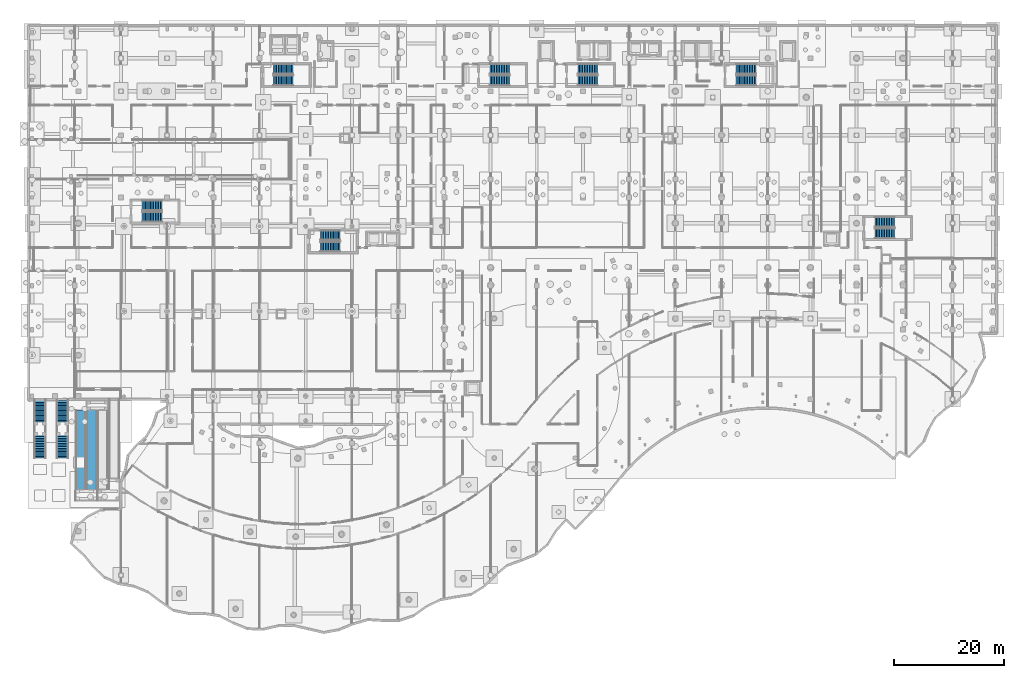
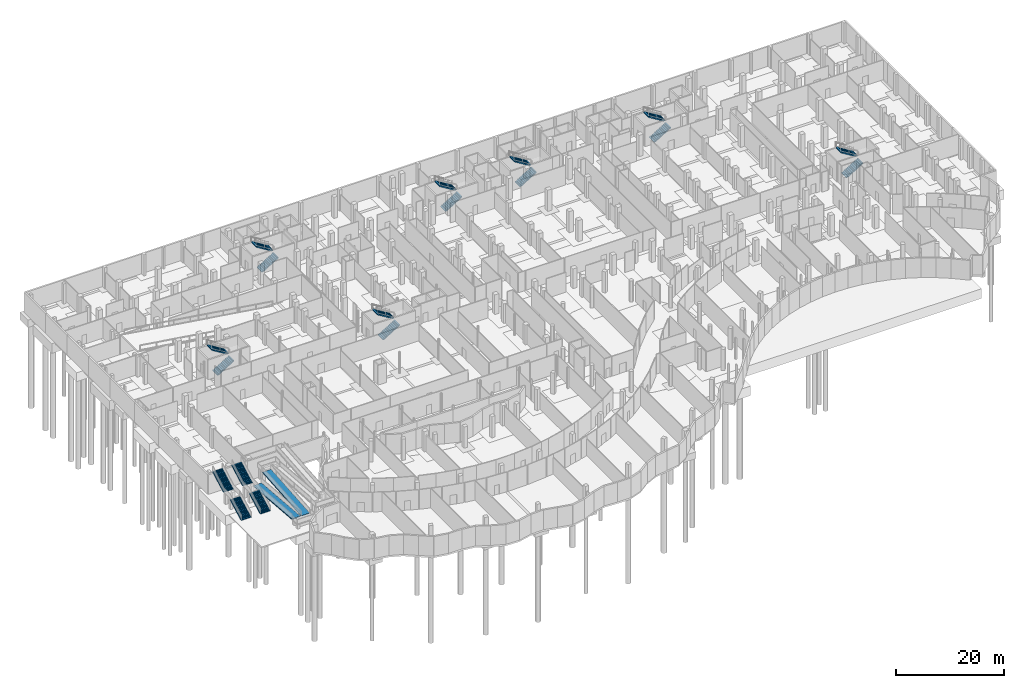
# One storey, part 39 of 45: 18 stair flights, 2 ramp flights, 11 elements without a shape of their own.
"""IFC4 building model written with IfcOpenShell, lengths in metres."""

import ifcopenshell
import ifcopenshell.guid

model = None  # the IFC model being written
_history = None  # IfcOwnerHistory: only IFC2X3 demands one
_inside = {}  # id of a spatial element -> (the spatial element, [elements in it])
_under = {}  # id of a project, library or spatial element -> (it, [spatial elements below it])
_declared = {}  # id of a project -> (the project, [libraries it declares])
_typed = {}  # id of a type object -> (the type object, [elements of that type])
_made_of = {}  # id of a material, layer set ... -> (it, [elements and type objects made of it])


def new_model(schema):
    """Start an empty IFC model of exactly this schema.

    Asked for "IFC4X3", IfcOpenShell would pick the latest addendum, in which some entities
    have other attributes; the version numbers below select the first issue.
    IFC2X3 requires an IfcOwnerHistory on every rooted entity: one is made here for all.
    """
    global model, _history
    if schema == "IFC4X3":
        model = ifcopenshell.file(schema_version=(4, 3, 0, 0))
    else:
        model = ifcopenshell.file(schema=schema)
    _inside.clear()
    _under.clear()
    _declared.clear()
    _typed.clear()
    _made_of.clear()
    _history = None
    if model.schema == "IFC2X3":
        org = make("IfcOrganization", Name="unknown")
        user = make(
            "IfcPersonAndOrganization",
            ThePerson=make("IfcPerson", FamilyName="unknown"),
            TheOrganization=org,
        )
        app = make(
            "IfcApplication",
            ApplicationDeveloper=org,
            Version="unknown",
            ApplicationFullName="unknown",
            ApplicationIdentifier="unknown",
        )
        _history = make(
            "IfcOwnerHistory",
            OwningUser=user,
            OwningApplication=app,
            ChangeAction="ADDED",
            CreationDate=0,
        )
    return model


def make(cls, **values):
    """One entity of the class cls with the attributes given. An attribute that is None is left unset."""
    return model.create_entity(
        cls, **{name: value for name, value in values.items() if value is not None}
    )


def rooted(cls, **values):
    """An entity with a GlobalId (a new one), such as an element, a storey or a relation."""
    return make(cls, GlobalId=ifcopenshell.guid.new(), OwnerHistory=_history, **values)


def si_unit(unit_type, name, prefix=None):
    """IfcSIUnit, for example si_unit("LENGTHUNIT", "METRE", prefix="MILLI")."""
    return make("IfcSIUnit", UnitType=unit_type, Prefix=prefix, Name=name)


def assignment(units):
    """IfcUnitAssignment: the units of a project."""
    return None if units is None else make("IfcUnitAssignment", Units=units)


def point(xyz):
    """IfcCartesianPoint."""
    return None if xyz is None else make("IfcCartesianPoint", Coordinates=xyz)


def direction(xyz):
    """IfcDirection."""
    return None if xyz is None else make("IfcDirection", DirectionRatios=xyz)


def frame(location, z_axis=None, x_axis=None):
    """IfcAxis2Placement3D, a coordinate frame: its origin and axes. An axis left out is left unset."""
    return make(
        "IfcAxis2Placement3D",
        Location=point(location),
        Axis=direction(z_axis),
        RefDirection=direction(x_axis),
    )


def origin():
    """The frame at (0, 0, 0) with its axes left unset."""
    return frame((0.0, 0.0, 0.0))


def place(relative_to, where):
    """IfcLocalPlacement: puts the frame where relative to a parent placement (None: the world)."""
    return make(
        "IfcLocalPlacement", PlacementRelTo=relative_to, RelativePlacement=where
    )


def context(
    kind, dimensions, precision=None, world=None, true_north=None, identifier=None
):
    """IfcGeometricRepresentationContext, for example the 3D "Model" context."""
    return make(
        "IfcGeometricRepresentationContext",
        ContextIdentifier=identifier,
        ContextType=kind,
        CoordinateSpaceDimension=dimensions,
        Precision=precision,
        WorldCoordinateSystem=world,
        TrueNorth=true_north,
    )


def subcontext(parent, identifier, kind, view, scale=None):
    """IfcGeometricRepresentationSubContext, for example "Body" below "Model"."""
    return make(
        "IfcGeometricRepresentationSubContext",
        ContextIdentifier=identifier,
        ContextType=kind,
        ParentContext=parent,
        TargetScale=scale,
        TargetView=view,
    )


def project(units=None, contexts=None):
    """IfcProject with its units and contexts."""
    return rooted(
        "IfcProject",
        Name="project",
        RepresentationContexts=contexts,
        UnitsInContext=assignment(units),
    )


def spatial(cls, under=None, at=None, **own):
    """A site, building, storey or space (cls), placed at a placement, below another one or the project."""
    s = rooted(cls, ObjectPlacement=at, **own)
    if under is not None:
        _under.setdefault(under.id(), (under, []))[1].append(s)
    return s


def polyline(points):
    """IfcPolyline through the points."""
    return make("IfcPolyline", Points=[point(p) for p in points])


def outline(outer, holes=None, kind="AREA"):
    """IfcArbitraryClosedProfileDef: a profile drawn as a closed curve; with holes, ...WithVoids."""
    if holes is None:
        return make("IfcArbitraryClosedProfileDef", ProfileType=kind, OuterCurve=outer)
    return make(
        "IfcArbitraryProfileDefWithVoids",
        ProfileType=kind,
        OuterCurve=outer,
        InnerCurves=holes,
    )


def extrude(swept, where, along, depth):
    """IfcExtrudedAreaSolid: the profile swept, set in the frame where, extruded along a direction by depth."""
    return make(
        "IfcExtrudedAreaSolid",
        SweptArea=swept,
        Position=where,
        ExtrudedDirection=direction(along),
        Depth=depth,
    )


def shape(context_of_items, identifier, shape_type, items):
    """IfcShapeRepresentation: the items that make up one representation, for example the "Body"."""
    return make(
        "IfcShapeRepresentation",
        ContextOfItems=context_of_items,
        RepresentationIdentifier=identifier,
        RepresentationType=shape_type,
        Items=items,
    )


def material(Name=None, Category=None):
    """IfcMaterial."""
    return make("IfcMaterial", Name=Name, Category=Category)


def layer(
    of_material, thickness, ventilated=None, Name=None, Category=None, Priority=None
):
    """IfcMaterialLayer: one layer of a wall or slab, of a material (None: an air gap)."""
    return make(
        "IfcMaterialLayer",
        Material=of_material,
        LayerThickness=thickness,
        IsVentilated=ventilated,
        Name=Name,
        Category=Category,
        Priority=Priority,
    )


def layer_set(layers, Name=None):
    """IfcMaterialLayerSet."""
    return make("IfcMaterialLayerSet", MaterialLayers=layers, LayerSetName=Name)


def made_of(thing, what):
    """Note that an element or type object is made of a material, layer set ...; save() writes the relation."""
    if what is not None:
        _made_of.setdefault(what.id(), (what, []))[1].append(thing)
    return thing


def type_object(cls, material=None, **own):
    """A type object (cls), such as IfcWallType, which elements share."""
    return made_of(rooted(cls, **own), material)


def element(
    cls,
    number,
    at=None,
    inside=None,
    cuts=None,
    type_object=None,
    material=None,
    context=None,
    identifier="Body",
    shape_type=None,
    held_by="IfcProductDefinitionShape",
    body=None,
    shapes=None,
    **own,
):
    """One element of the class cls, such as IfcWall. Its Tag is "e" and its number.

    at: its placement. inside: the storey or other place that contains it. cuts: it is an
    opening in that element (IfcRelVoidsElement). A single representation is given by context,
    identifier, shape_type and body (its items); several are given by shapes. held_by: the class
    of the entity that holds the representations. save() writes the other relations.
    """
    e = rooted(cls, Tag="e%d" % number, ObjectPlacement=at, **own)
    if body is not None:
        shapes = [shape(context, identifier, shape_type, body)]
    if shapes is not None:
        e.Representation = make(held_by, Representations=shapes)
    if inside is not None:
        _inside.setdefault(inside.id(), (inside, []))[1].append(e)
    if cuts is not None:
        rooted(
            "IfcRelVoidsElement", RelatingBuildingElement=cuts, RelatedOpeningElement=e
        )
    if type_object is not None:
        _typed.setdefault(type_object.id(), (type_object, []))[1].append(e)
    return made_of(e, material)


def aggregate(whole, parts):
    """IfcRelAggregates: a whole, such as a stair, and the parts it consists of."""
    return rooted("IfcRelAggregates", RelatingObject=whole, RelatedObjects=parts)


def save(model, path):
    """Write the relations noted so far, then the file.

    IfcRelAggregates (storeys below a building ...), IfcRelContainedInSpatialStructure (elements
    in a storey), IfcRelDefinesByType, IfcRelAssociatesMaterial and IfcRelDeclares: one each for
    every whole, place, type object, material and project.
    """
    for whole, parts in _under.values():
        aggregate(whole, parts)
    for where, things in _inside.values():
        rooted(
            "IfcRelContainedInSpatialStructure",
            RelatedElements=things,
            RelatingStructure=where,
        )
    for kind, things in _typed.values():
        rooted("IfcRelDefinesByType", RelatedObjects=things, RelatingType=kind)
    for what, things in _made_of.values():
        rooted("IfcRelAssociatesMaterial", RelatedObjects=things, RelatingMaterial=what)
    for by, libraries in _declared.values():
        rooted("IfcRelDeclares", RelatingContext=by, RelatedDefinitions=libraries)
    model.write(path)


model = new_model("IFC4")

# Units and contexts
model_context = context("Model", 3, precision=1e-05, world=origin(), true_north=direction((0.0, 1.0)))
body_context = subcontext(model_context, "Body", "Model", "MODEL_VIEW")
ifc_project = project(units=[si_unit("LENGTHUNIT", "METRE"), si_unit("AREAUNIT", "SQUARE_METRE"), si_unit("VOLUMEUNIT", "CUBIC_METRE"), si_unit("PLANEANGLEUNIT", "RADIAN"), si_unit("MASSUNIT", "GRAM", prefix="KILO")], contexts=[model_context])

# Site, building, storey
site_placement = place(None, origin())
site = spatial("IfcSite", under=ifc_project, at=site_placement, CompositionType="ELEMENT")
building_placement = place(site_placement, origin())
building = spatial("IfcBuilding", under=site, at=building_placement, Name="Selatvlak General Hospital", CompositionType="ELEMENT")
storey_placement = place(building_placement, frame((0.0, 0.0, -4.800048828125)))
storey = spatial("IfcBuildingStorey", under=building, at=storey_placement, Name="B1", CompositionType="ELEMENT", Elevation=-4.800048828125)

# Stair, stair flights
ifc_material_1 = material(Name="Precast concrete C40/50", Category="concrete")
stair_type_1 = type_object("IfcStairType", Name="STAIR-MON1", PredefinedType="STRAIGHT_RUN_STAIR", material=ifc_material_1)
stair_1_placement = place(storey_placement, origin())
stair_1 = element("IfcStair", 1, at=stair_1_placement, inside=storey, type_object=stair_type_1, Name="Sunken metro forecourt monumental stair ST-08", PredefinedType="STRAIGHT_RUN_STAIR")
ifc_layer_1 = layer(ifc_material_1, 0.219970703125, Name="Precast concrete C40/50", Category="concrete")
ifc_layer_set_1 = layer_set([ifc_layer_1], Name="Precast concrete C40/50")
stair_flight_type_1 = type_object("IfcStairFlightType", Name="FLIGHT-MON", PredefinedType="STRAIGHT", material=ifc_layer_set_1)
stair_flight_1_placement = place(storey_placement, frame((8.10009765625, 41.2900390625, 0.0), z_axis=(0.0, 0.0, 1.0), x_axis=(0.0, 1.0, 0.0)))
stair_flight_1 = element("IfcStairFlight", 2, at=stair_flight_1_placement, type_object=stair_flight_type_1, Name="ST-08 flight 1", NumberOfRisers=15, NumberOfTreads=14, PredefinedType="STRAIGHT", RiserHeight=0.16, TreadLength=0.3, context=body_context, shape_type="SweptSolid", body=[
    extrude(outline(polyline([(0.0, 0.0), (0.0, 0.159912109375), (0.300048828125, 0.159912109375), (0.300048828125, 0.320068359375), (0.60009765625, 0.320068359375), (0.60009765625, 0.47998046875), (0.89990234375, 0.47998046875), (0.89990234375, 0.639892578125), (1.199951171875, 0.639892578125), (1.199951171875, 0.800048828125), (1.5, 0.800048828125), (1.5, 0.9599609375), (1.800048828125, 0.9599609375), (1.800048828125, 1.1201171875), (2.10009765625, 1.1201171875), (2.10009765625, 1.280029296875), (2.39990234375, 1.280029296875), (2.39990234375, 1.43994140625), (2.699951171875, 1.43994140625), (2.699951171875, 1.60009765625), (3.0, 1.60009765625), (3.0, 1.760009765625), (3.300048828125, 1.760009765625), (3.300048828125, 1.919921875), (3.60009765625, 1.919921875), (3.60009765625, 2.080078125), (3.89990234375, 2.080078125), (3.89990234375, 2.239990234375), (4.199951171875, 2.239990234375), (4.199951171875, 2.39990234375), (4.199951171875, 1.99072265625), (0.467529296875, 0.0), (0.0, 0.0)])), frame((0.0, 1.050048828125, 0.0), z_axis=(0.0, -1.0, 0.0), x_axis=(1.0, 0.0, 0.0)), (0.0, 0.0, 1.0), 2.10009765625),
])
stair_flight_2_placement = place(storey_placement, frame((8.10009765625, 47.844970703125, 2.400146484375), z_axis=(0.0, 0.0, 1.0), x_axis=(0.0, 1.0, 0.0)))
stair_flight_2 = element("IfcStairFlight", 3, at=stair_flight_2_placement, type_object=stair_flight_type_1, Name="ST-08 flight 2", NumberOfRisers=15, NumberOfTreads=14, PredefinedType="STRAIGHT", RiserHeight=0.16, TreadLength=0.3, context=body_context, shape_type="SweptSolid", body=[
    extrude(outline(polyline([(0.0, 0.0), (0.0, 0.159912109375), (0.300048828125, 0.159912109375), (0.300048828125, 0.320068359375), (0.60009765625, 0.320068359375), (0.60009765625, 0.47998046875), (0.89990234375, 0.47998046875), (0.89990234375, 0.639892578125), (1.199951171875, 0.639892578125), (1.199951171875, 0.800048828125), (1.5, 0.800048828125), (1.5, 0.9599609375), (1.800048828125, 0.9599609375), (1.800048828125, 1.1201171875), (2.10009765625, 1.1201171875), (2.10009765625, 1.280029296875), (2.39990234375, 1.280029296875), (2.39990234375, 1.43994140625), (2.699951171875, 1.43994140625), (2.699951171875, 1.60009765625), (3.0, 1.60009765625), (3.0, 1.760009765625), (3.300048828125, 1.760009765625), (3.300048828125, 1.919921875), (3.60009765625, 1.919921875), (3.60009765625, 2.080078125), (3.89990234375, 2.080078125), (3.89990234375, 2.239990234375), (4.199951171875, 2.239990234375), (4.199951171875, 2.39990234375), (4.199951171875, 1.99072265625), (0.467529296875, 0.0), (0.0, 0.0)])), frame((0.0, 1.050048828125, 0.0), z_axis=(0.0, -1.0, 0.0), x_axis=(1.0, 0.0, 0.0)), (0.0, 0.0, 1.0), 2.10009765625),
])
aggregate(stair_1, [stair_flight_1, stair_flight_2])

stair_type_2 = type_object("IfcStairType", Name="STAIR-MON2", PredefinedType="STRAIGHT_RUN_STAIR", material=ifc_material_1)
stair_2_placement = place(storey_placement, origin())
stair_2 = element("IfcStair", 4, at=stair_2_placement, inside=storey, type_object=stair_type_2, Name="Sunken metro forecourt monumental stair ST-09", PredefinedType="STRAIGHT_RUN_STAIR")
stair_flight_3_placement = place(storey_placement, frame((12.199951171875, 41.2900390625, 0.0), z_axis=(0.0, 0.0, 1.0), x_axis=(0.0, 1.0, 0.0)))
stair_flight_3 = element("IfcStairFlight", 5, at=stair_flight_3_placement, type_object=stair_flight_type_1, Name="ST-09 flight 1", NumberOfRisers=15, NumberOfTreads=14, PredefinedType="STRAIGHT", RiserHeight=0.16, TreadLength=0.3, context=body_context, shape_type="SweptSolid", body=[
    extrude(outline(polyline([(0.0, 0.0), (0.0, 0.159912109375), (0.300048828125, 0.159912109375), (0.300048828125, 0.320068359375), (0.60009765625, 0.320068359375), (0.60009765625, 0.47998046875), (0.89990234375, 0.47998046875), (0.89990234375, 0.639892578125), (1.199951171875, 0.639892578125), (1.199951171875, 0.800048828125), (1.5, 0.800048828125), (1.5, 0.9599609375), (1.800048828125, 0.9599609375), (1.800048828125, 1.1201171875), (2.10009765625, 1.1201171875), (2.10009765625, 1.280029296875), (2.39990234375, 1.280029296875), (2.39990234375, 1.43994140625), (2.699951171875, 1.43994140625), (2.699951171875, 1.60009765625), (3.0, 1.60009765625), (3.0, 1.760009765625), (3.300048828125, 1.760009765625), (3.300048828125, 1.919921875), (3.60009765625, 1.919921875), (3.60009765625, 2.080078125), (3.89990234375, 2.080078125), (3.89990234375, 2.239990234375), (4.199951171875, 2.239990234375), (4.199951171875, 2.39990234375), (4.199951171875, 1.99072265625), (0.467529296875, 0.0), (0.0, 0.0)])), frame((0.0, 1.050048828125, 0.0), z_axis=(0.0, -1.0, 0.0), x_axis=(1.0, 0.0, 0.0)), (0.0, 0.0, 1.0), 2.10009765625),
])
stair_flight_4_placement = place(storey_placement, frame((12.199951171875, 47.844970703125, 2.400146484375), z_axis=(0.0, 0.0, 1.0), x_axis=(0.0, 1.0, 0.0)))
stair_flight_4 = element("IfcStairFlight", 6, at=stair_flight_4_placement, type_object=stair_flight_type_1, Name="ST-09 flight 2", NumberOfRisers=15, NumberOfTreads=14, PredefinedType="STRAIGHT", RiserHeight=0.16, TreadLength=0.3, context=body_context, shape_type="SweptSolid", body=[
    extrude(outline(polyline([(0.0, 0.0), (0.0, 0.159912109375), (0.300048828125, 0.159912109375), (0.300048828125, 0.320068359375), (0.60009765625, 0.320068359375), (0.60009765625, 0.47998046875), (0.89990234375, 0.47998046875), (0.89990234375, 0.639892578125), (1.199951171875, 0.639892578125), (1.199951171875, 0.800048828125), (1.5, 0.800048828125), (1.5, 0.9599609375), (1.800048828125, 0.9599609375), (1.800048828125, 1.1201171875), (2.10009765625, 1.1201171875), (2.10009765625, 1.280029296875), (2.39990234375, 1.280029296875), (2.39990234375, 1.43994140625), (2.699951171875, 1.43994140625), (2.699951171875, 1.60009765625), (3.0, 1.60009765625), (3.0, 1.760009765625), (3.300048828125, 1.760009765625), (3.300048828125, 1.919921875), (3.60009765625, 1.919921875), (3.60009765625, 2.080078125), (3.89990234375, 2.080078125), (3.89990234375, 2.239990234375), (4.199951171875, 2.239990234375), (4.199951171875, 2.39990234375), (4.199951171875, 1.99072265625), (0.467529296875, 0.0), (0.0, 0.0)])), frame((0.0, 1.050048828125, 0.0), z_axis=(0.0, -1.0, 0.0), x_axis=(1.0, 0.0, 0.0)), (0.0, 0.0, 1.0), 2.10009765625),
])
aggregate(stair_2, [stair_flight_3, stair_flight_4])

stair_type_3 = type_object("IfcStairType", Name="STAIR-ST-01", PredefinedType="HALF_TURN_STAIR", material=ifc_material_1)
stair_3_placement = place(storey_placement, origin())
stair_3 = element("IfcStair", 7, at=stair_3_placement, inside=storey, type_object=stair_type_3, Name="B1 Protected exit stair ST-01", PredefinedType="HALF_TURN_STAIR")
ifc_layer_2 = layer(ifc_material_1, 0.179931640625, Name="Precast concrete C40/50", Category="concrete")
ifc_layer_set_2 = layer_set([ifc_layer_2], Name="Precast concrete C40/50")
stair_flight_type_2 = type_object("IfcStairFlightType", Name="FLIGHT-ST-01", PredefinedType="STRAIGHT", material=ifc_layer_set_2)
stair_flight_5_placement = place(storey_placement, frame((50.510009765625, 109.929931640625, 0.0), z_axis=(0.0, 0.0, 1.0), x_axis=(1.0, 0.0, 0.0)))
stair_flight_5 = element("IfcStairFlight", 8, at=stair_flight_5_placement, type_object=stair_flight_type_2, Name="ST-01 flight 1", NumberOfRisers=13, NumberOfTreads=12, PredefinedType="STRAIGHT", RiserHeight=0.184615385, TreadLength=0.3, context=body_context, shape_type="SweptSolid", body=[
    extrude(outline(polyline([(0.0, 0.0), (0.0, 0.1845703125), (0.300048828125, 0.1845703125), (0.300048828125, 0.369140625), (0.60009765625, 0.369140625), (0.60009765625, 0.553955078125), (0.89990234375, 0.553955078125), (0.89990234375, 0.738525390625), (1.199951171875, 0.738525390625), (1.199951171875, 0.923095703125), (1.5, 0.923095703125), (1.5, 1.107666015625), (1.800048828125, 1.107666015625), (1.800048828125, 1.292236328125), (2.10009765625, 1.292236328125), (2.10009765625, 1.476806640625), (2.39990234375, 1.476806640625), (2.39990234375, 1.66162109375), (2.699951171875, 1.66162109375), (2.699951171875, 1.84619140625), (3.0, 1.84619140625), (3.0, 2.03076171875), (3.300048828125, 2.03076171875), (3.300048828125, 2.21533203125), (3.60009765625, 2.21533203125), (3.60009765625, 2.39990234375), (3.60009765625, 2.004150390625), (0.34326171875, 0.0), (0.0, 0.0)])), frame((0.0, 0.93017578125, 0.0), z_axis=(0.0, -1.0, 0.0), x_axis=(1.0, 0.0, 0.0)), (0.0, 0.0, 1.0), 1.860107421875),
])
stair_flight_6_placement = place(storey_placement, frame((54.110107421875, 112.010009765625, 2.400146484375), z_axis=(0.0, 0.0, 1.0), x_axis=(-1.0, 0.0, 0.0)))
stair_flight_6 = element("IfcStairFlight", 9, at=stair_flight_6_placement, type_object=stair_flight_type_2, Name="ST-01 flight 2", NumberOfRisers=13, NumberOfTreads=12, PredefinedType="STRAIGHT", RiserHeight=0.184615385, TreadLength=0.3, context=body_context, shape_type="SweptSolid", body=[
    extrude(outline(polyline([(0.0, 0.0), (0.0, 0.1845703125), (0.300048828125, 0.1845703125), (0.300048828125, 0.369140625), (0.60009765625, 0.369140625), (0.60009765625, 0.553955078125), (0.89990234375, 0.553955078125), (0.89990234375, 0.738525390625), (1.199951171875, 0.738525390625), (1.199951171875, 0.923095703125), (1.5, 0.923095703125), (1.5, 1.107666015625), (1.800048828125, 1.107666015625), (1.800048828125, 1.292236328125), (2.10009765625, 1.292236328125), (2.10009765625, 1.476806640625), (2.39990234375, 1.476806640625), (2.39990234375, 1.66162109375), (2.699951171875, 1.66162109375), (2.699951171875, 1.84619140625), (3.0, 1.84619140625), (3.0, 2.03076171875), (3.300048828125, 2.03076171875), (3.300048828125, 2.21533203125), (3.60009765625, 2.21533203125), (3.60009765625, 2.39990234375), (3.60009765625, 2.004150390625), (0.34326171875, 0.0), (0.0, 0.0)])), frame((0.0, 0.93017578125, 0.0), z_axis=(0.0, -1.0, 0.0), x_axis=(1.0, 0.0, 0.0)), (0.0, 0.0, 1.0), 1.860107421875),
])
aggregate(stair_3, [stair_flight_5, stair_flight_6])

stair_type_4 = type_object("IfcStairType", Name="STAIR-ST-02", PredefinedType="HALF_TURN_STAIR", material=ifc_material_1)
stair_4_placement = place(storey_placement, origin())
stair_4 = element("IfcStair", 10, at=stair_4_placement, inside=storey, type_object=stair_type_4, Name="B1 Protected exit stair ST-02", PredefinedType="HALF_TURN_STAIR")
ifc_layer_3 = layer(ifc_material_1, 0.179931640625, Name="Precast concrete C40/50", Category="concrete")
ifc_layer_set_3 = layer_set([ifc_layer_3], Name="Precast concrete C40/50")
stair_flight_type_3 = type_object("IfcStairFlightType", Name="FLIGHT-ST-02", PredefinedType="STRAIGHT", material=ifc_layer_set_3)
stair_flight_7_placement = place(storey_placement, frame((89.860107421875, 109.929931640625, 0.0), z_axis=(0.0, 0.0, 1.0), x_axis=(1.0, 0.0, 0.0)))
stair_flight_7 = element("IfcStairFlight", 11, at=stair_flight_7_placement, type_object=stair_flight_type_3, Name="ST-02 flight 1", NumberOfRisers=13, NumberOfTreads=12, PredefinedType="STRAIGHT", RiserHeight=0.184615385, TreadLength=0.3, context=body_context, shape_type="SweptSolid", body=[
    extrude(outline(polyline([(0.0, 0.0), (0.0, 0.1845703125), (0.300048828125, 0.1845703125), (0.300048828125, 0.369140625), (0.60009765625, 0.369140625), (0.60009765625, 0.553955078125), (0.89990234375, 0.553955078125), (0.89990234375, 0.738525390625), (1.199951171875, 0.738525390625), (1.199951171875, 0.923095703125), (1.5, 0.923095703125), (1.5, 1.107666015625), (1.800048828125, 1.107666015625), (1.800048828125, 1.292236328125), (2.10009765625, 1.292236328125), (2.10009765625, 1.476806640625), (2.39990234375, 1.476806640625), (2.39990234375, 1.66162109375), (2.699951171875, 1.66162109375), (2.699951171875, 1.84619140625), (3.0, 1.84619140625), (3.0, 2.03076171875), (3.300048828125, 2.03076171875), (3.300048828125, 2.21533203125), (3.60009765625, 2.21533203125), (3.60009765625, 2.39990234375), (3.60009765625, 2.004150390625), (0.34326171875, 0.0), (0.0, 0.0)])), frame((0.0, 0.93017578125, 0.0), z_axis=(0.0, -1.0, 0.0), x_axis=(1.0, 0.0, 0.0)), (0.0, 0.0, 1.0), 1.860107421875),
])
stair_flight_8_placement = place(storey_placement, frame((93.4599609375, 112.010009765625, 2.400146484375), z_axis=(0.0, 0.0, 1.0), x_axis=(-1.0, 0.0, 0.0)))
stair_flight_8 = element("IfcStairFlight", 12, at=stair_flight_8_placement, type_object=stair_flight_type_3, Name="ST-02 flight 2", NumberOfRisers=13, NumberOfTreads=12, PredefinedType="STRAIGHT", RiserHeight=0.184615385, TreadLength=0.3, context=body_context, shape_type="SweptSolid", body=[
    extrude(outline(polyline([(0.0, 0.0), (0.0, 0.1845703125), (0.300048828125, 0.1845703125), (0.300048828125, 0.369140625), (0.60009765625, 0.369140625), (0.60009765625, 0.553955078125), (0.89990234375, 0.553955078125), (0.89990234375, 0.738525390625), (1.199951171875, 0.738525390625), (1.199951171875, 0.923095703125), (1.5, 0.923095703125), (1.5, 1.107666015625), (1.800048828125, 1.107666015625), (1.800048828125, 1.292236328125), (2.10009765625, 1.292236328125), (2.10009765625, 1.476806640625), (2.39990234375, 1.476806640625), (2.39990234375, 1.66162109375), (2.699951171875, 1.66162109375), (2.699951171875, 1.84619140625), (3.0, 1.84619140625), (3.0, 2.03076171875), (3.300048828125, 2.03076171875), (3.300048828125, 2.21533203125), (3.60009765625, 2.21533203125), (3.60009765625, 2.39990234375), (3.60009765625, 2.004150390625), (0.34326171875, 0.0), (0.0, 0.0)])), frame((0.0, 0.93017578125, 0.0), z_axis=(0.0, -1.0, 0.0), x_axis=(1.0, 0.0, 0.0)), (0.0, 0.0, 1.0), 1.860107421875),
])
aggregate(stair_4, [stair_flight_7, stair_flight_8])

stair_type_5 = type_object("IfcStairType", Name="STAIR-ST-03", PredefinedType="HALF_TURN_STAIR", material=ifc_material_1)
stair_5_placement = place(storey_placement, origin())
stair_5 = element("IfcStair", 13, at=stair_5_placement, inside=storey, type_object=stair_type_5, Name="B1 Protected exit stair ST-03", PredefinedType="HALF_TURN_STAIR")
ifc_layer_4 = layer(ifc_material_1, 0.179931640625, Name="Precast concrete C40/50", Category="concrete")
ifc_layer_set_4 = layer_set([ifc_layer_4], Name="Precast concrete C40/50")
stair_flight_type_4 = type_object("IfcStairFlightType", Name="FLIGHT-ST-03", PredefinedType="STRAIGHT", material=ifc_layer_set_4)
stair_flight_9_placement = place(storey_placement, frame((105.860107421875, 109.929931640625, 0.0), z_axis=(0.0, 0.0, 1.0), x_axis=(1.0, 0.0, 0.0)))
stair_flight_9 = element("IfcStairFlight", 14, at=stair_flight_9_placement, type_object=stair_flight_type_4, Name="ST-03 flight 1", NumberOfRisers=13, NumberOfTreads=12, PredefinedType="STRAIGHT", RiserHeight=0.184615385, TreadLength=0.3, context=body_context, shape_type="SweptSolid", body=[
    extrude(outline(polyline([(0.0, 0.0), (0.0, 0.1845703125), (0.300048828125, 0.1845703125), (0.300048828125, 0.369140625), (0.60009765625, 0.369140625), (0.60009765625, 0.553955078125), (0.89990234375, 0.553955078125), (0.89990234375, 0.738525390625), (1.199951171875, 0.738525390625), (1.199951171875, 0.923095703125), (1.5, 0.923095703125), (1.5, 1.107666015625), (1.800048828125, 1.107666015625), (1.800048828125, 1.292236328125), (2.10009765625, 1.292236328125), (2.10009765625, 1.476806640625), (2.39990234375, 1.476806640625), (2.39990234375, 1.66162109375), (2.699951171875, 1.66162109375), (2.699951171875, 1.84619140625), (3.0, 1.84619140625), (3.0, 2.03076171875), (3.300048828125, 2.03076171875), (3.300048828125, 2.21533203125), (3.60009765625, 2.21533203125), (3.60009765625, 2.39990234375), (3.60009765625, 2.004150390625), (0.34326171875, 0.0), (0.0, 0.0)])), frame((0.0, 0.93017578125, 0.0), z_axis=(0.0, -1.0, 0.0), x_axis=(1.0, 0.0, 0.0)), (0.0, 0.0, 1.0), 1.860107421875),
])
stair_flight_10_placement = place(storey_placement, frame((109.4599609375, 112.010009765625, 2.400146484375), z_axis=(0.0, 0.0, 1.0), x_axis=(-1.0, 0.0, 0.0)))
stair_flight_10 = element("IfcStairFlight", 15, at=stair_flight_10_placement, type_object=stair_flight_type_4, Name="ST-03 flight 2", NumberOfRisers=13, NumberOfTreads=12, PredefinedType="STRAIGHT", RiserHeight=0.184615385, TreadLength=0.3, context=body_context, shape_type="SweptSolid", body=[
    extrude(outline(polyline([(0.0, 0.0), (0.0, 0.1845703125), (0.300048828125, 0.1845703125), (0.300048828125, 0.369140625), (0.60009765625, 0.369140625), (0.60009765625, 0.553955078125), (0.89990234375, 0.553955078125), (0.89990234375, 0.738525390625), (1.199951171875, 0.738525390625), (1.199951171875, 0.923095703125), (1.5, 0.923095703125), (1.5, 1.107666015625), (1.800048828125, 1.107666015625), (1.800048828125, 1.292236328125), (2.10009765625, 1.292236328125), (2.10009765625, 1.476806640625), (2.39990234375, 1.476806640625), (2.39990234375, 1.66162109375), (2.699951171875, 1.66162109375), (2.699951171875, 1.84619140625), (3.0, 1.84619140625), (3.0, 2.03076171875), (3.300048828125, 2.03076171875), (3.300048828125, 2.21533203125), (3.60009765625, 2.21533203125), (3.60009765625, 2.39990234375), (3.60009765625, 2.004150390625), (0.34326171875, 0.0), (0.0, 0.0)])), frame((0.0, 0.93017578125, 0.0), z_axis=(0.0, -1.0, 0.0), x_axis=(1.0, 0.0, 0.0)), (0.0, 0.0, 1.0), 1.860107421875),
])
aggregate(stair_5, [stair_flight_9, stair_flight_10])

stair_type_6 = type_object("IfcStairType", Name="STAIR-ST-04", PredefinedType="HALF_TURN_STAIR", material=ifc_material_1)
stair_6_placement = place(storey_placement, origin())
stair_6 = element("IfcStair", 16, at=stair_6_placement, inside=storey, type_object=stair_type_6, Name="B1 Protected exit stair ST-04", PredefinedType="HALF_TURN_STAIR")
ifc_layer_5 = layer(ifc_material_1, 0.179931640625, Name="Precast concrete C40/50", Category="concrete")
ifc_layer_set_5 = layer_set([ifc_layer_5], Name="Precast concrete C40/50")
stair_flight_type_5 = type_object("IfcStairFlightType", Name="FLIGHT-ST-04", PredefinedType="STRAIGHT", material=ifc_layer_set_5)
stair_flight_11_placement = place(storey_placement, frame((134.659912109375, 109.929931640625, 0.0), z_axis=(0.0, 0.0, 1.0), x_axis=(1.0, 0.0, 0.0)))
stair_flight_11 = element("IfcStairFlight", 17, at=stair_flight_11_placement, type_object=stair_flight_type_5, Name="ST-04 flight 1", NumberOfRisers=13, NumberOfTreads=12, PredefinedType="STRAIGHT", RiserHeight=0.184615385, TreadLength=0.3, context=body_context, shape_type="SweptSolid", body=[
    extrude(outline(polyline([(0.0, 0.0), (0.0, 0.1845703125), (0.300048828125, 0.1845703125), (0.300048828125, 0.369140625), (0.60009765625, 0.369140625), (0.60009765625, 0.553955078125), (0.89990234375, 0.553955078125), (0.89990234375, 0.738525390625), (1.199951171875, 0.738525390625), (1.199951171875, 0.923095703125), (1.5, 0.923095703125), (1.5, 1.107666015625), (1.800048828125, 1.107666015625), (1.800048828125, 1.292236328125), (2.10009765625, 1.292236328125), (2.10009765625, 1.476806640625), (2.39990234375, 1.476806640625), (2.39990234375, 1.66162109375), (2.699951171875, 1.66162109375), (2.699951171875, 1.84619140625), (3.0, 1.84619140625), (3.0, 2.03076171875), (3.300048828125, 2.03076171875), (3.300048828125, 2.21533203125), (3.60009765625, 2.21533203125), (3.60009765625, 2.39990234375), (3.60009765625, 2.004150390625), (0.34326171875, 0.0), (0.0, 0.0)])), frame((0.0, 0.93017578125, 0.0), z_axis=(0.0, -1.0, 0.0), x_axis=(1.0, 0.0, 0.0)), (0.0, 0.0, 1.0), 1.860107421875),
])
stair_flight_12_placement = place(storey_placement, frame((138.260009765625, 112.010009765625, 2.400146484375), z_axis=(0.0, 0.0, 1.0), x_axis=(-1.0, 0.0, 0.0)))
stair_flight_12 = element("IfcStairFlight", 18, at=stair_flight_12_placement, type_object=stair_flight_type_5, Name="ST-04 flight 2", NumberOfRisers=13, NumberOfTreads=12, PredefinedType="STRAIGHT", RiserHeight=0.184615385, TreadLength=0.3, context=body_context, shape_type="SweptSolid", body=[
    extrude(outline(polyline([(0.0, 0.0), (0.0, 0.1845703125), (0.300048828125, 0.1845703125), (0.300048828125, 0.369140625), (0.60009765625, 0.369140625), (0.60009765625, 0.553955078125), (0.89990234375, 0.553955078125), (0.89990234375, 0.738525390625), (1.199951171875, 0.738525390625), (1.199951171875, 0.923095703125), (1.5, 0.923095703125), (1.5, 1.107666015625), (1.800048828125, 1.107666015625), (1.800048828125, 1.292236328125), (2.10009765625, 1.292236328125), (2.10009765625, 1.476806640625), (2.39990234375, 1.476806640625), (2.39990234375, 1.66162109375), (2.699951171875, 1.66162109375), (2.699951171875, 1.84619140625), (3.0, 1.84619140625), (3.0, 2.03076171875), (3.300048828125, 2.03076171875), (3.300048828125, 2.21533203125), (3.60009765625, 2.21533203125), (3.60009765625, 2.39990234375), (3.60009765625, 2.004150390625), (0.34326171875, 0.0), (0.0, 0.0)])), frame((0.0, 0.93017578125, 0.0), z_axis=(0.0, -1.0, 0.0), x_axis=(1.0, 0.0, 0.0)), (0.0, 0.0, 1.0), 1.860107421875),
])
aggregate(stair_6, [stair_flight_11, stair_flight_12])

stair_type_7 = type_object("IfcStairType", Name="STAIR-ST-05", PredefinedType="HALF_TURN_STAIR", material=ifc_material_1)
stair_7_placement = place(storey_placement, origin())
stair_7 = element("IfcStair", 19, at=stair_7_placement, inside=storey, type_object=stair_type_7, Name="B1 Protected exit stair ST-05", PredefinedType="HALF_TURN_STAIR")
ifc_layer_6 = layer(ifc_material_1, 0.179931640625, Name="Precast concrete C40/50", Category="concrete")
ifc_layer_set_6 = layer_set([ifc_layer_6], Name="Precast concrete C40/50")
stair_flight_type_6 = type_object("IfcStairFlightType", Name="FLIGHT-ST-05", PredefinedType="STRAIGHT", material=ifc_layer_set_6)
stair_flight_13_placement = place(storey_placement, frame((59.06005859375, 79.72998046875, 0.0), z_axis=(0.0, 0.0, 1.0), x_axis=(1.0, 0.0, 0.0)))
stair_flight_13 = element("IfcStairFlight", 20, at=stair_flight_13_placement, type_object=stair_flight_type_6, Name="ST-05 flight 1", NumberOfRisers=13, NumberOfTreads=12, PredefinedType="STRAIGHT", RiserHeight=0.184615385, TreadLength=0.3, context=body_context, shape_type="SweptSolid", body=[
    extrude(outline(polyline([(0.0, 0.0), (0.0, 0.1845703125), (0.300048828125, 0.1845703125), (0.300048828125, 0.369140625), (0.60009765625, 0.369140625), (0.60009765625, 0.553955078125), (0.89990234375, 0.553955078125), (0.89990234375, 0.738525390625), (1.199951171875, 0.738525390625), (1.199951171875, 0.923095703125), (1.5, 0.923095703125), (1.5, 1.107666015625), (1.800048828125, 1.107666015625), (1.800048828125, 1.292236328125), (2.10009765625, 1.292236328125), (2.10009765625, 1.476806640625), (2.39990234375, 1.476806640625), (2.39990234375, 1.66162109375), (2.699951171875, 1.66162109375), (2.699951171875, 1.84619140625), (3.0, 1.84619140625), (3.0, 2.03076171875), (3.300048828125, 2.03076171875), (3.300048828125, 2.21533203125), (3.60009765625, 2.21533203125), (3.60009765625, 2.39990234375), (3.60009765625, 2.004150390625), (0.34326171875, 0.0), (0.0, 0.0)])), frame((0.0, 0.93017578125, 0.0), z_axis=(0.0, -1.0, 0.0), x_axis=(1.0, 0.0, 0.0)), (0.0, 0.0, 1.0), 1.860107421875),
])
stair_flight_14_placement = place(storey_placement, frame((62.659912109375, 81.81005859375, 2.400146484375), z_axis=(0.0, 0.0, 1.0), x_axis=(-1.0, 0.0, 0.0)))
stair_flight_14 = element("IfcStairFlight", 21, at=stair_flight_14_placement, type_object=stair_flight_type_6, Name="ST-05 flight 2", NumberOfRisers=13, NumberOfTreads=12, PredefinedType="STRAIGHT", RiserHeight=0.184615385, TreadLength=0.3, context=body_context, shape_type="SweptSolid", body=[
    extrude(outline(polyline([(0.0, 0.0), (0.0, 0.1845703125), (0.300048828125, 0.1845703125), (0.300048828125, 0.369140625), (0.60009765625, 0.369140625), (0.60009765625, 0.553955078125), (0.89990234375, 0.553955078125), (0.89990234375, 0.738525390625), (1.199951171875, 0.738525390625), (1.199951171875, 0.923095703125), (1.5, 0.923095703125), (1.5, 1.107666015625), (1.800048828125, 1.107666015625), (1.800048828125, 1.292236328125), (2.10009765625, 1.292236328125), (2.10009765625, 1.476806640625), (2.39990234375, 1.476806640625), (2.39990234375, 1.66162109375), (2.699951171875, 1.66162109375), (2.699951171875, 1.84619140625), (3.0, 1.84619140625), (3.0, 2.03076171875), (3.300048828125, 2.03076171875), (3.300048828125, 2.21533203125), (3.60009765625, 2.21533203125), (3.60009765625, 2.39990234375), (3.60009765625, 2.004150390625), (0.34326171875, 0.0), (0.0, 0.0)])), frame((0.0, 0.93017578125, 0.0), z_axis=(0.0, -1.0, 0.0), x_axis=(1.0, 0.0, 0.0)), (0.0, 0.0, 1.0), 1.860107421875),
])
aggregate(stair_7, [stair_flight_13, stair_flight_14])

stair_type_8 = type_object("IfcStairType", Name="STAIR-ST-06", PredefinedType="HALF_TURN_STAIR", material=ifc_material_1)
stair_8_placement = place(storey_placement, origin())
stair_8 = element("IfcStair", 22, at=stair_8_placement, inside=storey, type_object=stair_type_8, Name="B1 Protected exit stair ST-06", PredefinedType="HALF_TURN_STAIR")
ifc_layer_7 = layer(ifc_material_1, 0.179931640625, Name="Precast concrete C40/50", Category="concrete")
ifc_layer_set_7 = layer_set([ifc_layer_7], Name="Precast concrete C40/50")
stair_flight_type_7 = type_object("IfcStairFlightType", Name="FLIGHT-ST-06", PredefinedType="STRAIGHT", material=ifc_layer_set_7)
stair_flight_15_placement = place(storey_placement, frame((159.860107421875, 82.1298828125, 0.0), z_axis=(0.0, 0.0, 1.0), x_axis=(1.0, 0.0, 0.0)))
stair_flight_15 = element("IfcStairFlight", 23, at=stair_flight_15_placement, type_object=stair_flight_type_7, Name="ST-06 flight 1", NumberOfRisers=13, NumberOfTreads=12, PredefinedType="STRAIGHT", RiserHeight=0.184615385, TreadLength=0.3, context=body_context, shape_type="SweptSolid", body=[
    extrude(outline(polyline([(0.0, 0.0), (0.0, 0.1845703125), (0.300048828125, 0.1845703125), (0.300048828125, 0.369140625), (0.60009765625, 0.369140625), (0.60009765625, 0.553955078125), (0.89990234375, 0.553955078125), (0.89990234375, 0.738525390625), (1.199951171875, 0.738525390625), (1.199951171875, 0.923095703125), (1.5, 0.923095703125), (1.5, 1.107666015625), (1.800048828125, 1.107666015625), (1.800048828125, 1.292236328125), (2.10009765625, 1.292236328125), (2.10009765625, 1.476806640625), (2.39990234375, 1.476806640625), (2.39990234375, 1.66162109375), (2.699951171875, 1.66162109375), (2.699951171875, 1.84619140625), (3.0, 1.84619140625), (3.0, 2.03076171875), (3.300048828125, 2.03076171875), (3.300048828125, 2.21533203125), (3.60009765625, 2.21533203125), (3.60009765625, 2.39990234375), (3.60009765625, 2.004150390625), (0.34326171875, 0.0), (0.0, 0.0)])), frame((0.0, 0.93017578125, 0.0), z_axis=(0.0, -1.0, 0.0), x_axis=(1.0, 0.0, 0.0)), (0.0, 0.0, 1.0), 1.860107421875),
])
stair_flight_16_placement = place(storey_placement, frame((163.4599609375, 84.2099609375, 2.400146484375), z_axis=(0.0, 0.0, 1.0), x_axis=(-1.0, 0.0, 0.0)))
stair_flight_16 = element("IfcStairFlight", 24, at=stair_flight_16_placement, type_object=stair_flight_type_7, Name="ST-06 flight 2", NumberOfRisers=13, NumberOfTreads=12, PredefinedType="STRAIGHT", RiserHeight=0.184615385, TreadLength=0.3, context=body_context, shape_type="SweptSolid", body=[
    extrude(outline(polyline([(0.0, 0.0), (0.0, 0.1845703125), (0.300048828125, 0.1845703125), (0.300048828125, 0.369140625), (0.60009765625, 0.369140625), (0.60009765625, 0.553955078125), (0.89990234375, 0.553955078125), (0.89990234375, 0.738525390625), (1.199951171875, 0.738525390625), (1.199951171875, 0.923095703125), (1.5, 0.923095703125), (1.5, 1.107666015625), (1.800048828125, 1.107666015625), (1.800048828125, 1.292236328125), (2.10009765625, 1.292236328125), (2.10009765625, 1.476806640625), (2.39990234375, 1.476806640625), (2.39990234375, 1.66162109375), (2.699951171875, 1.66162109375), (2.699951171875, 1.84619140625), (3.0, 1.84619140625), (3.0, 2.03076171875), (3.300048828125, 2.03076171875), (3.300048828125, 2.21533203125), (3.60009765625, 2.21533203125), (3.60009765625, 2.39990234375), (3.60009765625, 2.004150390625), (0.34326171875, 0.0), (0.0, 0.0)])), frame((0.0, 0.93017578125, 0.0), z_axis=(0.0, -1.0, 0.0), x_axis=(1.0, 0.0, 0.0)), (0.0, 0.0, 1.0), 1.860107421875),
])
aggregate(stair_8, [stair_flight_15, stair_flight_16])

stair_type_9 = type_object("IfcStairType", Name="STAIR-ST-07", PredefinedType="HALF_TURN_STAIR", material=ifc_material_1)
stair_9_placement = place(storey_placement, origin())
stair_9 = element("IfcStair", 25, at=stair_9_placement, inside=storey, type_object=stair_type_9, Name="B1 Protected exit stair ST-07", PredefinedType="HALF_TURN_STAIR")
ifc_layer_8 = layer(ifc_material_1, 0.179931640625, Name="Precast concrete C40/50", Category="concrete")
ifc_layer_set_8 = layer_set([ifc_layer_8], Name="Precast concrete C40/50")
stair_flight_type_8 = type_object("IfcStairFlightType", Name="FLIGHT-ST-07", PredefinedType="STRAIGHT", material=ifc_layer_set_8)
stair_flight_17_placement = place(storey_placement, frame((26.659912109375, 85.1298828125, 0.0), z_axis=(0.0, 0.0, 1.0), x_axis=(1.0, 0.0, 0.0)))
stair_flight_17 = element("IfcStairFlight", 26, at=stair_flight_17_placement, type_object=stair_flight_type_8, Name="ST-07 flight 1", NumberOfRisers=13, NumberOfTreads=12, PredefinedType="STRAIGHT", RiserHeight=0.184615385, TreadLength=0.3, context=body_context, shape_type="SweptSolid", body=[
    extrude(outline(polyline([(0.0, 0.0), (0.0, 0.1845703125), (0.300048828125, 0.1845703125), (0.300048828125, 0.369140625), (0.60009765625, 0.369140625), (0.60009765625, 0.553955078125), (0.89990234375, 0.553955078125), (0.89990234375, 0.738525390625), (1.199951171875, 0.738525390625), (1.199951171875, 0.923095703125), (1.5, 0.923095703125), (1.5, 1.107666015625), (1.800048828125, 1.107666015625), (1.800048828125, 1.292236328125), (2.10009765625, 1.292236328125), (2.10009765625, 1.476806640625), (2.39990234375, 1.476806640625), (2.39990234375, 1.66162109375), (2.699951171875, 1.66162109375), (2.699951171875, 1.84619140625), (3.0, 1.84619140625), (3.0, 2.03076171875), (3.300048828125, 2.03076171875), (3.300048828125, 2.21533203125), (3.60009765625, 2.21533203125), (3.60009765625, 2.39990234375), (3.60009765625, 2.004150390625), (0.34326171875, 0.0), (0.0, 0.0)])), frame((0.0, 0.93017578125, 0.0), z_axis=(0.0, -1.0, 0.0), x_axis=(1.0, 0.0, 0.0)), (0.0, 0.0, 1.0), 1.860107421875),
])
stair_flight_18_placement = place(storey_placement, frame((30.260009765625, 87.2099609375, 2.400146484375), z_axis=(0.0, 0.0, 1.0), x_axis=(-1.0, 0.0, 0.0)))
stair_flight_18 = element("IfcStairFlight", 27, at=stair_flight_18_placement, type_object=stair_flight_type_8, Name="ST-07 flight 2", NumberOfRisers=13, NumberOfTreads=12, PredefinedType="STRAIGHT", RiserHeight=0.184615385, TreadLength=0.3, context=body_context, shape_type="SweptSolid", body=[
    extrude(outline(polyline([(0.0, 0.0), (0.0, 0.1845703125), (0.300048828125, 0.1845703125), (0.300048828125, 0.369140625), (0.60009765625, 0.369140625), (0.60009765625, 0.553955078125), (0.89990234375, 0.553955078125), (0.89990234375, 0.738525390625), (1.199951171875, 0.738525390625), (1.199951171875, 0.923095703125), (1.5, 0.923095703125), (1.5, 1.107666015625), (1.800048828125, 1.107666015625), (1.800048828125, 1.292236328125), (2.10009765625, 1.292236328125), (2.10009765625, 1.476806640625), (2.39990234375, 1.476806640625), (2.39990234375, 1.66162109375), (2.699951171875, 1.66162109375), (2.699951171875, 1.84619140625), (3.0, 1.84619140625), (3.0, 2.03076171875), (3.300048828125, 2.03076171875), (3.300048828125, 2.21533203125), (3.60009765625, 2.21533203125), (3.60009765625, 2.39990234375), (3.60009765625, 2.004150390625), (0.34326171875, 0.0), (0.0, 0.0)])), frame((0.0, 0.93017578125, 0.0), z_axis=(0.0, -1.0, 0.0), x_axis=(1.0, 0.0, 0.0)), (0.0, 0.0, 1.0), 1.860107421875),
])
aggregate(stair_9, [stair_flight_17, stair_flight_18])

# Ramp, ramp flight
ifc_material_2 = material(Name="Concrete C40/50", Category="concrete")
ramp_type = type_object("IfcRampType", Name="RAMP-ACC", PredefinedType="STRAIGHT_RUN_RAMP", material=ifc_material_2)
ramp_1_placement = place(storey_placement, origin())
ramp_1 = element("IfcRamp", 28, at=ramp_1_placement, inside=storey, type_object=ramp_type, Name="Accessible step-free ramp RMP-ACC-01", PredefinedType="STRAIGHT_RUN_RAMP")
ifc_layer_9 = layer(ifc_material_2, 0.219970703125, Name="Concrete C40/50", Category="concrete")
ifc_layer_set_9 = layer_set([ifc_layer_9], Name="Concrete C40/50")
ramp_flight_type = type_object("IfcRampFlightType", Name="RFL-ACC", PredefinedType="STRAIGHT", material=ifc_layer_set_9)
ramp_flight_1_placement = place(storey_placement, frame((15.5, 50.0, 0.0), z_axis=(0.0, 0.0, 1.0), x_axis=(0.0, -1.0, 0.0)))
ramp_flight_1 = element("IfcRampFlight", 29, at=ramp_flight_1_placement, type_object=ramp_flight_type, Name="Accessible step-free ramp flight RMP-ACC-01", PredefinedType="STRAIGHT", context=body_context, shape_type="SweptSolid", body=[
    extrude(outline(polyline([(0.0, -0.219970703125), (14.39990234375, 0.97998046875), (14.39990234375, 1.199951171875), (0.0, 0.0), (0.0, -0.219970703125)])), frame((0.0, 0.89990234375, 0.0), z_axis=(0.0, -1.0, 0.0), x_axis=(1.0, 0.0, 0.0)), (0.0, 0.0, 1.0), 1.800048828125),
])
aggregate(ramp_1, [ramp_flight_1])

ramp_2_placement = place(storey_placement, origin())
ramp_2 = element("IfcRamp", 30, at=ramp_2_placement, inside=storey, type_object=ramp_type, Name="Accessible step-free ramp RMP-ACC-02", PredefinedType="STRAIGHT_RUN_RAMP")
ramp_flight_2_placement = place(storey_placement, frame((17.5, 35.60009765625, 1.199951171875), z_axis=(0.0, 0.0, 1.0), x_axis=(0.0, 1.0, 0.0)))
ramp_flight_2 = element("IfcRampFlight", 31, at=ramp_flight_2_placement, type_object=ramp_flight_type, Name="Accessible step-free ramp flight RMP-ACC-02", PredefinedType="STRAIGHT", context=body_context, shape_type="SweptSolid", body=[
    extrude(outline(polyline([(0.0, -0.219970703125), (14.39990234375, 0.97998046875), (14.39990234375, 1.199951171875), (0.0, 0.0), (0.0, -0.219970703125)])), frame((0.0, 0.89990234375, 0.0), z_axis=(0.0, -1.0, 0.0), x_axis=(1.0, 0.0, 0.0)), (0.0, 0.0, 1.0), 1.800048828125),
])
aggregate(ramp_2, [ramp_flight_2])

save(model, "model.ifc")
